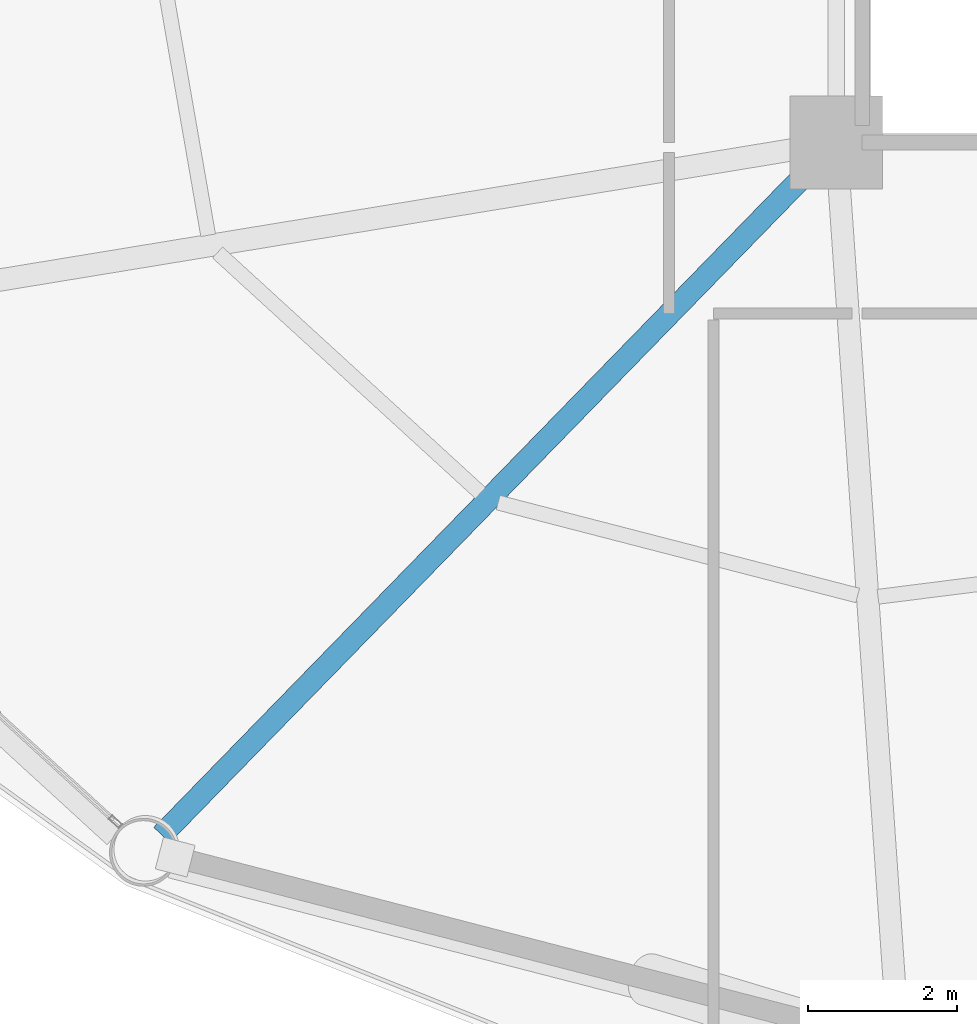
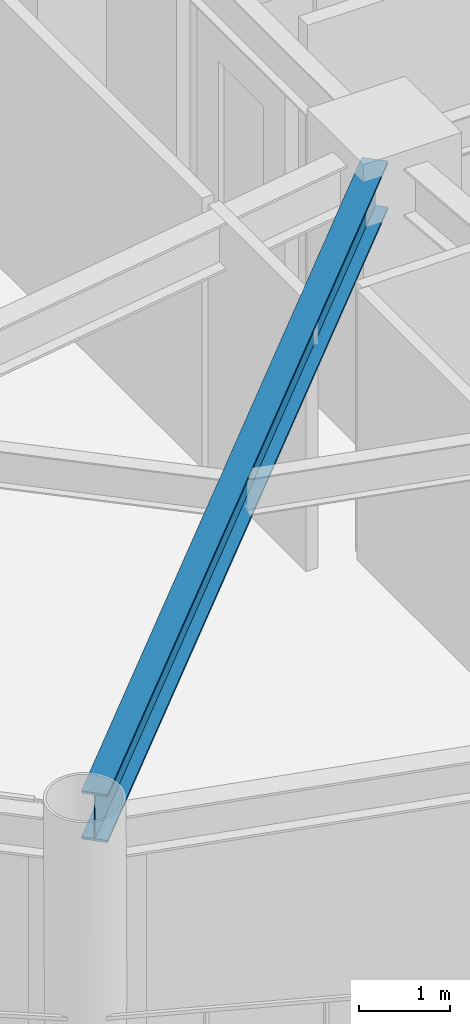
# One storey, part 4 of 25: 1 beam.
"""IFC4 building model written with IfcOpenShell, lengths in metres."""

from ifc_helpers import new_model, si_unit, direction, frame, origin, origin_2d, place, context, subcontext, project, spatial, i_section, extrude, material, material_profile, profile_set, type_object, element, save


model = new_model("IFC4")

# Units and contexts
model_context = context("Model", 3, precision=1e-05, world=origin(), true_north=direction((0.0, 1.0)))
body_context = subcontext(model_context, "Body", "Model", "MODEL_VIEW")
ifc_project = project(units=[si_unit("LENGTHUNIT", "METRE"), si_unit("AREAUNIT", "SQUARE_METRE"), si_unit("VOLUMEUNIT", "CUBIC_METRE"), si_unit("PLANEANGLEUNIT", "RADIAN"), si_unit("MASSUNIT", "GRAM", prefix="KILO")], contexts=[model_context])

# Site, building, storey
site_placement = place(None, origin())
site = spatial("IfcSite", under=ifc_project, at=site_placement, CompositionType="ELEMENT")
building_placement = place(site_placement, origin())
building = spatial("IfcBuilding", under=site, at=building_placement, Name="Varnakorn Sky Granary", CompositionType="ELEMENT")
storey_placement = place(building_placement, frame((0.0, 0.0, 35.39990234375)))
storey = spatial("IfcBuildingStorey", under=building, at=storey_placement, Name="L08", CompositionType="ELEMENT", Elevation=35.39990234375)

# Beam
ifc_material = material(Name="Steel S355JR", Category="steel")
ifc_material_profile = material_profile(ifc_material, i_section(OverallWidth=0.300048828125, OverallDepth=0.64990234375, WebThickness=0.01611328125, FlangeThickness=0.031005859375, at=origin_2d()), Name="HE 650 B")
ifc_profile_set = profile_set([ifc_material_profile], Name="Steel S355JR")
beam_type = type_object("IfcBeamType", Name="BM-RAD-Z1", PredefinedType="BEAM", material=ifc_profile_set)
beam_placement = place(storey_placement, frame((-2.64306640625, -6.90087890625, 3.315185546875), z_axis=(-0.697717533033, -0.716372978342, 0.0), x_axis=(0.716372978342, -0.697717533033, 0.0)))
element("IfcBeam", 1, at=beam_placement, inside=storey, type_object=beam_type, Name="Radial Floor Girder RG09 L08", PredefinedType="BEAM", context=body_context, shape_type="SweptSolid", body=[
    extrude(i_section(OverallWidth=0.300048828125, OverallDepth=0.64990234375, WebThickness=0.01611328125, FlangeThickness=0.031005859375, at=origin_2d()), origin(), (0.0, 0.0, 1.0), 12.589599609375),
])

save(model, "model.ifc")
